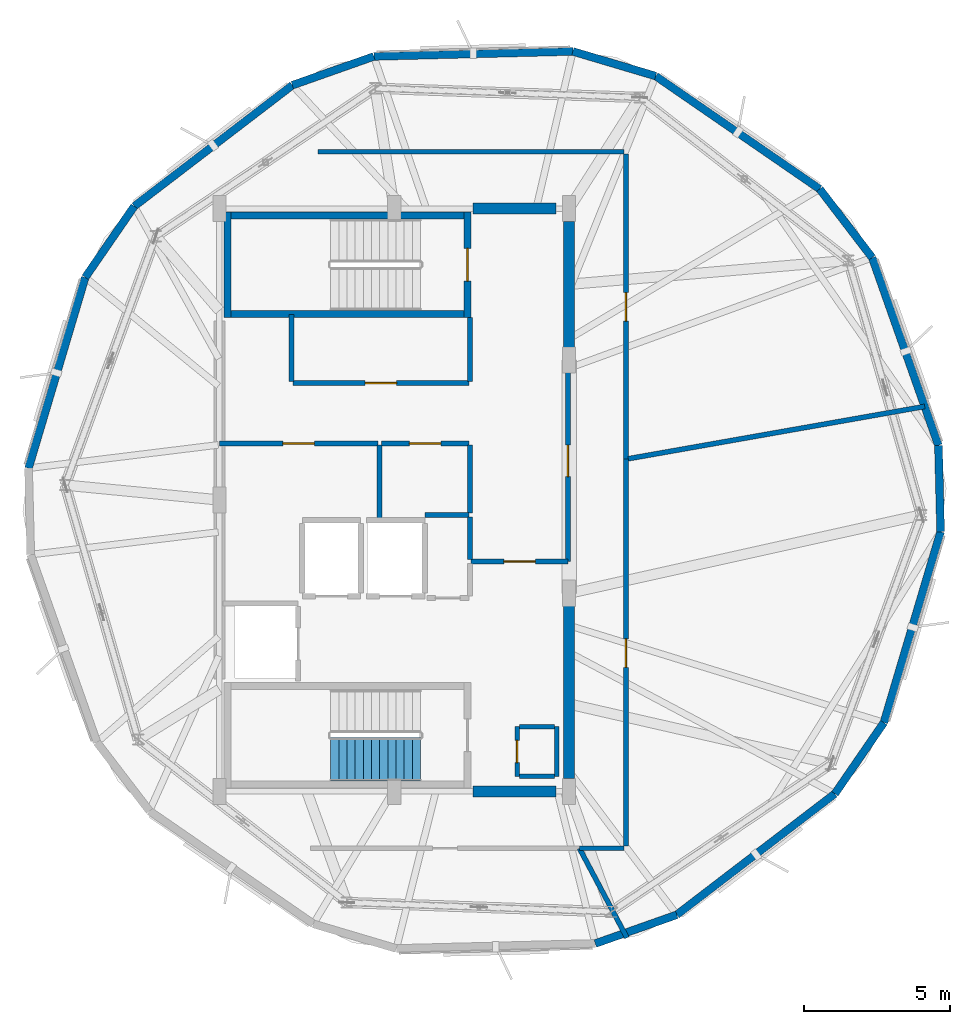
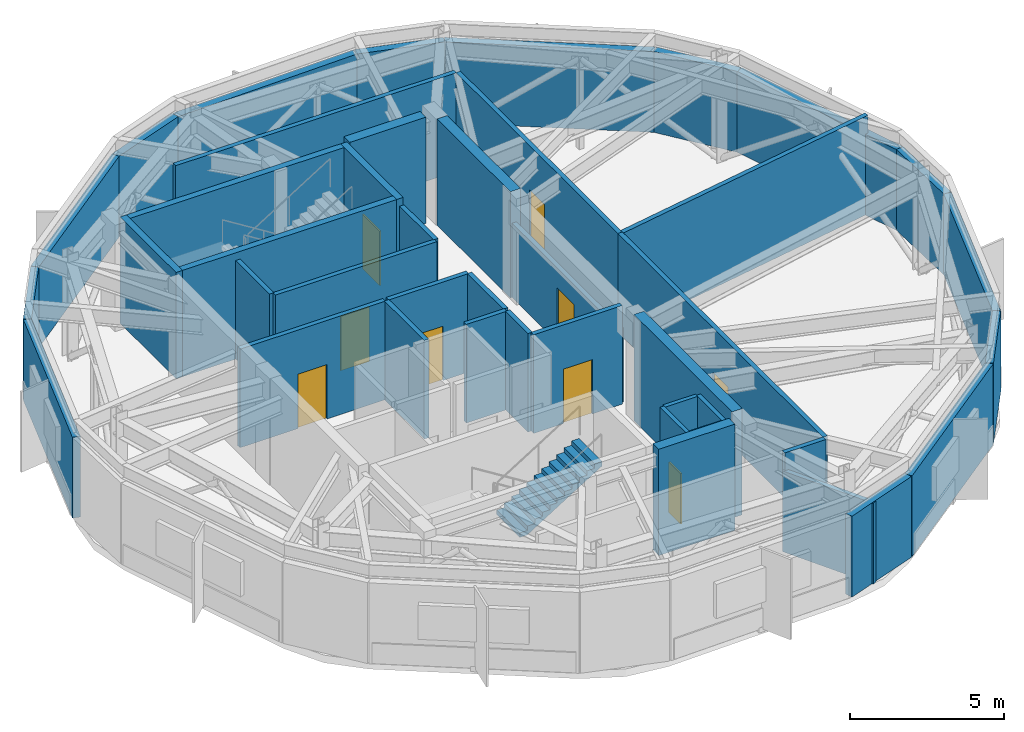
# One storey, part 5 of 9: 43 walls, 9 doors, 1 stair flight, 9 openings, 1 element without a shape of its own.
"""IFC4 building model written with IfcOpenShell, lengths in metres."""

from ifc_helpers import new_model, si_unit, direction, frame, frame_2d, origin, place, context, subcontext, project, spatial, polyline, rectangle, outline, extrude, material, layer, layer_set, type_object, element, fill, aggregate, save


model = new_model("IFC4")

# Units and contexts
model_context = context("Model", 3, precision=1e-05, world=origin(), true_north=direction((0.0, 1.0)))
body_context = subcontext(model_context, "Body", "Model", "MODEL_VIEW")
ifc_project = project(units=[si_unit("LENGTHUNIT", "METRE"), si_unit("AREAUNIT", "SQUARE_METRE"), si_unit("VOLUMEUNIT", "CUBIC_METRE"), si_unit("PLANEANGLEUNIT", "RADIAN"), si_unit("MASSUNIT", "GRAM", prefix="KILO")], contexts=[model_context])

# Site, building, storey
site_placement = place(None, origin())
site = spatial("IfcSite", under=ifc_project, at=site_placement, CompositionType="ELEMENT")
building_placement = place(site_placement, origin())
building = spatial("IfcBuilding", under=site, at=building_placement, Name="Soratama Intermodal Tower", CompositionType="ELEMENT")
storey_placement = place(building_placement, frame((0.0, 0.0, 305.64990234375)))
storey = spatial("IfcBuildingStorey", under=building, at=storey_placement, Name="L77", CompositionType="ELEMENT", Elevation=305.64990234375)

# Walls
ifc_material_1 = material(Name="Concrete f'c 42 MPa", Category="concrete")
ifc_layer_1 = layer(ifc_material_1, 0.27001953125)
ifc_layer_set_1 = layer_set([ifc_layer_1], Name="Concrete f'c 42 MPa")
wall_type_1 = type_object("IfcWallType", Name="EW-CRN-270", PredefinedType="SOLIDWALL", material=ifc_layer_set_1)
wall_1_placement = place(storey_placement, frame((37.900634765625, 40.22119140625, 0.0), z_axis=(0.0, 0.0, 1.0), x_axis=(-0.942990333583, -0.332820117735, 0.0)))
element("IfcWall", 1, at=wall_1_placement, inside=storey, type_object=wall_type_1, Name="L77 Corner Closure Wall 01", PredefinedType="SOLIDWALL", context=body_context, shape_type="SweptSolid", body=[
    extrude(rectangle(XDim=2.966552734375, YDim=0.27001953125, at=frame_2d((1.4833984375, 0.0))), origin(), (0.0, 0.0, 1.0), 3.195068359375),
])
wall_2_placement = place(storey_placement, frame((44.729736328125, 40.39306640625, 0.0), z_axis=(0.0, 0.0, 1.0), x_axis=(-0.999683435638, -0.025160057868, 0.0)))
element("IfcWall", 2, at=wall_2_placement, inside=storey, type_object=wall_type_1, Name="L77 Plant Wall F01", PredefinedType="SOLIDWALL", context=body_context, shape_type="SweptSolid", body=[
    extrude(rectangle(XDim=6.831298828125, YDim=0.27001953125, at=frame_2d((3.41552734375, 0.0))), origin(), (0.0, 0.0, 1.0), 3.195068359375),
])
wall_3_placement = place(storey_placement, frame((29.679443359375, 35.081298828125, 0.0), z_axis=(0.0, 0.0, 1.0), x_axis=(-0.56726554836, -0.823534940148, 0.0)))
element("IfcWall", 3, at=wall_3_placement, inside=storey, type_object=wall_type_1, Name="L77 Corner Closure Wall 02", PredefinedType="SOLIDWALL", context=body_context, shape_type="SweptSolid", body=[
    extrude(rectangle(XDim=2.966552734375, YDim=0.27001953125, at=frame_2d((1.4833984375, 0.0))), origin(), (0.0, 0.0, 1.0), 3.195068359375),
])
wall_4_placement = place(storey_placement, frame((35.103271484375, 39.23388671875, 0.0), z_axis=(0.0, 0.0, 1.0), x_axis=(-0.794007710978, -0.607907686173, 0.0)))
element("IfcWall", 4, at=wall_4_placement, inside=storey, type_object=wall_type_1, Name="L77 Plant Wall F02", PredefinedType="SOLIDWALL", context=body_context, shape_type="SweptSolid", body=[
    extrude(rectangle(XDim=6.8310546875, YDim=0.27001953125, at=frame_2d((3.41552734375, 0.0))), origin(), (0.0, 0.0, 1.0), 3.195068359375),
])
wall_5_placement = place(storey_placement, frame((27.99658203125, 32.63818359375, 0.0), z_axis=(0.0, 0.0, 1.0), x_axis=(-0.285019079127, -0.958521843535, 0.0)))
element("IfcWall", 5, at=wall_5_placement, inside=storey, type_object=wall_type_1, Name="L77 Plant Wall F03", PredefinedType="SOLIDWALL", context=body_context, shape_type="SweptSolid", body=[
    extrude(rectangle(XDim=6.831298828125, YDim=0.27001953125, at=frame_2d((3.41552734375, 0.0))), origin(), (0.0, 0.0, 1.0), 3.195068359375),
])
for number, where, z_axis, x_axis, name in (
    (6, (45.499267578125, 9.77880859375, 0.0), (0.0, 0.0, 1.0), (0.942990333583, 0.332820117735, 0.0), "L77 Corner Closure Wall 06"),
    (7, (53.720703125, 14.918701171875, 0.0), (0.0, 0.0, 1.0), (0.567209730575, 0.823573385644, 0.0), "L77 Corner Closure Wall 07"),
):
    element("IfcWall", number, at=place(storey_placement, frame(where, z_axis=z_axis, x_axis=x_axis)), inside=storey, type_object=wall_type_1, Name=name, PredefinedType="SOLIDWALL", context=body_context, shape_type="SweptSolid", body=[
        extrude(rectangle(XDim=2.966552734375, YDim=0.27001953125, at=frame_2d((1.4833984375, 0.0))), origin(), (0.0, 0.0, 1.0), 3.195068359375),
    ])
wall_6_placement = place(storey_placement, frame((48.296630859375, 10.76611328125, 0.0), z_axis=(0.0, 0.0, 1.0), x_axis=(0.794020918326, 0.607890435244, 0.0)))
element("IfcWall", 8, at=wall_6_placement, inside=storey, type_object=wall_type_1, Name="L77 Plant Wall F07", PredefinedType="SOLIDWALL", context=body_context, shape_type="SweptSolid", body=[
    extrude(rectangle(XDim=6.8310546875, YDim=0.27001953125, at=frame_2d((3.41552734375, 0.0))), origin(), (0.0, 0.0, 1.0), 3.195068359375),
])
wall_7_placement = place(storey_placement, frame((57.350341796875, 23.90966796875, 0.0), z_axis=(0.0, 0.0, 1.0), x_axis=(-0.025101168962, 0.999684916019, 0.0)))
element("IfcWall", 9, at=wall_7_placement, inside=storey, type_object=wall_type_1, Name="L77 Corner Closure Wall 08", PredefinedType="SOLIDWALL", context=body_context, shape_type="SweptSolid", body=[
    extrude(rectangle(XDim=2.966552734375, YDim=0.27001953125, at=frame_2d((1.4833984375, 0.0))), origin(), (0.0, 0.0, 1.0), 3.195068359375),
])
wall_8_placement = place(storey_placement, frame((55.4033203125, 17.36181640625, 0.0), z_axis=(0.0, 0.0, 1.0), x_axis=(0.285019079127, 0.958521843535, 0.0)))
element("IfcWall", 10, at=wall_8_placement, inside=storey, type_object=wall_type_1, Name="L77 Plant Wall F08", PredefinedType="SOLIDWALL", context=body_context, shape_type="SweptSolid", body=[
    extrude(rectangle(XDim=6.831298828125, YDim=0.27001953125, at=frame_2d((3.41552734375, 0.0))), origin(), (0.0, 0.0, 1.0), 3.195068359375),
])
wall_9_placement = place(storey_placement, frame((55.002197265625, 33.31689453125, 0.0), z_axis=(0.0, 0.0, 1.0), x_axis=(-0.607871587538, 0.79403534749, 0.0)))
element("IfcWall", 11, at=wall_9_placement, inside=storey, type_object=wall_type_1, Name="L77 Corner Closure Wall 09", PredefinedType="SOLIDWALL", context=body_context, shape_type="SweptSolid", body=[
    extrude(rectangle(XDim=2.966552734375, YDim=0.27001953125, at=frame_2d((1.4833984375, 0.0))), origin(), (0.0, 0.0, 1.0), 3.195068359375),
])
wall_10_placement = place(storey_placement, frame((57.27587890625, 26.875244140625, 0.0), z_axis=(0.0, 0.0, 1.0), x_axis=(-0.332840681535, 0.942983075519, 0.0)))
element("IfcWall", 12, at=wall_10_placement, inside=storey, type_object=wall_type_1, Name="L77 Plant Wall F09", PredefinedType="SOLIDWALL", context=body_context, shape_type="SweptSolid", body=[
    extrude(rectangle(XDim=6.8310546875, YDim=0.27001953125, at=frame_2d((3.41552734375, 0.0))), origin(), (0.0, 0.0, 1.0), 3.195068359375),
])
wall_11_placement = place(storey_placement, frame((47.5732421875, 39.547607421875, 0.0), z_axis=(0.0, 0.0, 1.0), x_axis=(-0.958527849857, 0.284998879029, 0.0)))
element("IfcWall", 13, at=wall_11_placement, inside=storey, type_object=wall_type_1, Name="L77 Corner Closure Wall 10", PredefinedType="SOLIDWALL", context=body_context, shape_type="SweptSolid", body=[
    extrude(rectangle(XDim=2.966552734375, YDim=0.27001953125, at=frame_2d((1.4833984375, 0.0))), origin(), (0.0, 0.0, 1.0), 3.195068359375),
])
wall_12_placement = place(storey_placement, frame((53.198974609375, 35.67236328125, 0.0), z_axis=(0.0, 0.0, 1.0), x_axis=(-0.823525410079, 0.567279383509, 0.0)))
element("IfcWall", 14, at=wall_12_placement, inside=storey, type_object=wall_type_1, Name="L77 Plant Wall F10", PredefinedType="SOLIDWALL", context=body_context, shape_type="SweptSolid", body=[
    extrude(rectangle(XDim=6.831298828125, YDim=0.27001953125, at=frame_2d((3.41552734375, 0.0))), origin(), (0.0, 0.0, 1.0), 3.195068359375),
])
ifc_material_2 = material(Name="Fire-rated gypsum stud partition", Category="concrete")
ifc_layer_2 = layer(ifc_material_2, 0.14990234375)
ifc_layer_set_2 = layer_set([ifc_layer_2], Name="Fire-rated gypsum stud partition")
wall_type_2 = type_object("IfcWallType", Name="IW-PART-R150", PredefinedType="PARTITIONING", material=ifc_layer_set_2)
for number, where, z_axis, x_axis, name in (
    (15, (42.89990234375, 15.52001953125, 0.0), (0.0, 0.0, 1.0), (1.0, 0.0, 0.0), "L77 Riser Wall S"),
    (16, (42.89990234375, 17.219970703125, 0.0), (0.0, 0.0, 1.0), (1.0, 0.0, 0.0), "L77 Riser Wall N"),
):
    element("IfcWall", number, at=place(storey_placement, frame(where, z_axis=z_axis, x_axis=x_axis)), inside=storey, type_object=wall_type_2, Name=name, PredefinedType="PARTITIONING", context=body_context, shape_type="SweptSolid", body=[
        extrude(rectangle(XDim=1.2001953125, YDim=0.14990234375, at=frame_2d((0.60009765625, 0.0))), origin(), (0.0, 0.0, 1.0), 3.89501953125),
    ])
wall_13_placement = place(storey_placement, frame((44.179931640625, 15.52001953125, 0.0), z_axis=(0.0, 0.0, 1.0), x_axis=(0.0, 1.0, 0.0)))
element("IfcWall", 17, at=wall_13_placement, inside=storey, type_object=wall_type_2, Name="L77 Riser Wall E", PredefinedType="PARTITIONING", context=body_context, shape_type="SweptSolid", body=[
    extrude(rectangle(XDim=1.699951171875, YDim=0.14990234375, at=frame_2d((0.85009765625, 0.0))), origin(), (0.0, 0.0, 1.0), 3.89501953125),
])

# Wall, opening, door
wall_14_placement = place(storey_placement, frame((42.820068359375, 15.52001953125, 0.0), z_axis=(0.0, 0.0, 1.0), x_axis=(0.0, 1.0, 0.0)))
wall_14 = element("IfcWall", 18, at=wall_14_placement, inside=storey, type_object=wall_type_2, Name="L77 Riser Front Wall", PredefinedType="PARTITIONING", context=body_context, shape_type="SweptSolid", body=[
    extrude(rectangle(XDim=1.699951171875, YDim=0.14990234375, at=frame_2d((0.85009765625, 0.0))), origin(), (0.0, 0.0, 1.0), 3.89501953125),
])
opening_1_placement = place(wall_14_placement, frame((0.469970703125, 0.0, 0.0)))
opening_1 = element("IfcOpeningElement", 19, at=opening_1_placement, cuts=wall_14, Name="Opening TD-1", PredefinedType="OPENING", context=body_context, shape_type="SweptSolid", body=[
    extrude(rectangle(XDim=0.760009765625, YDim=2.0, at=frame_2d((0.3798828125, 1.0))), frame((0.0, 0.0849609375, 0.0), z_axis=(0.0, -1.0, 0.0), x_axis=(1.0, 0.0, 0.0)), (0.0, 0.0, 1.0), 0.169921875),
])
ifc_material_3 = material(Name="Steel fire door", Category="steel")
door_type_1 = type_object("IfcDoorType", Name="DR-RISER-TRAP", OperationType="NOTDEFINED", PredefinedType="TRAPDOOR", material=ifc_material_3)
door_1_placement = place(opening_1_placement, origin())
door_1 = element("IfcDoor", 20, at=door_1_placement, inside=storey, type_object=door_type_1, Name="L77 Riser Inspection Door", OperationType="SINGLE_SWING_LEFT", OverallHeight=2.0, OverallWidth=0.760009765625, PredefinedType="TRAPDOOR", context=body_context, shape_type="SweptSolid", body=[
    extrude(rectangle(XDim=0.760009765625, YDim=2.0, at=frame_2d((0.3798828125, 1.0))), frame((0.0, 0.02490234375, 0.0), z_axis=(0.0, -1.0, 0.0), x_axis=(1.0, 0.0, 0.0)), (0.0, 0.0, 1.0), 0.050048828125),
])
fill(opening_1, door_1)

ifc_material_4 = material(Name="Fire-rated gypsum stud partition", Category="concrete")
ifc_layer_3 = layer(ifc_material_4, 0.169921875)
ifc_layer_set_3 = layer_set([ifc_layer_3], Name="Fire-rated gypsum stud partition")
wall_type_3 = type_object("IfcWallType", Name="IW-PART-R170", PredefinedType="PARTITIONING", material=ifc_layer_set_3)
wall_15_placement = place(storey_placement, frame((46.550048828125, 26.40087890625, 0.0), z_axis=(0.0, 0.0, 1.0), x_axis=(0.0, -1.0, 0.0)))
wall_15 = element("IfcWall", 21, at=wall_15_placement, inside=storey, type_object=wall_type_3, Name="L77 Partition W-L77-TP001", PredefinedType="PARTITIONING", context=body_context, shape_type="SweptSolid", body=[
    extrude(rectangle(XDim=13.28076171875, YDim=0.169921875, at=frame_2d((6.640380859375, 0.0))), origin(), (0.0, 0.0, 1.0), 3.89501953125),
])
opening_2_placement = place(wall_15_placement, frame((6.166015625, 0.0, 0.0)))
opening_2 = element("IfcOpeningElement", 22, at=opening_2_placement, cuts=wall_15, Name="Opening ID-5", PredefinedType="OPENING", context=body_context, shape_type="SweptSolid", body=[
    extrude(rectangle(XDim=0.97998046875, YDim=2.14990234375, at=frame_2d((0.489990234375, 1.074951171875))), frame((0.0, 0.094970703125, 0.0), z_axis=(0.0, -1.0, 0.0), x_axis=(1.0, 0.0, 0.0)), (0.0, 0.0, 1.0), 0.18994140625),
])
ifc_material_5 = material(Name="Solid hardwood acoustic door", Category="wood")
door_type_2 = type_object("IfcDoorType", Name="DR-OFF-980", OperationType="NOTDEFINED", PredefinedType="DOOR", material=ifc_material_5)
door_2_placement = place(opening_2_placement, origin())
door_2 = element("IfcDoor", 23, at=door_2_placement, inside=storey, type_object=door_type_2, Name="L77 Door D-L77-TP001", OperationType="SINGLE_SWING_RIGHT", OverallHeight=2.14990234375, OverallWidth=0.97998046875, PredefinedType="DOOR", context=body_context, shape_type="SweptSolid", body=[
    extrude(rectangle(XDim=0.97998046875, YDim=2.14990234375, at=frame_2d((0.489990234375, 1.074951171875))), frame((0.0, 0.02490234375, 0.0), z_axis=(0.0, -1.0, 0.0), x_axis=(1.0, 0.0, 0.0)), (0.0, 0.0, 1.0), 0.050048828125),
])
fill(opening_2, door_2)

wall_16_placement = place(storey_placement, frame((46.550048828125, 36.8798828125, 0.0), z_axis=(0.0, 0.0, 1.0), x_axis=(0.0, -1.0, 0.0)))
wall_16 = element("IfcWall", 24, at=wall_16_placement, inside=storey, type_object=wall_type_3, Name="L77 Partition W-L77-TP002", PredefinedType="PARTITIONING", context=body_context, shape_type="SweptSolid", body=[
    extrude(rectangle(XDim=10.47900390625, YDim=0.169921875, at=frame_2d((5.239501953125, 0.0))), origin(), (0.0, 0.0, 1.0), 3.89501953125),
])
opening_3_placement = place(wall_16_placement, frame((4.764892578125, 0.0, 0.0)))
opening_3 = element("IfcOpeningElement", 25, at=opening_3_placement, cuts=wall_16, Name="Opening ID-5", PredefinedType="OPENING", context=body_context, shape_type="SweptSolid", body=[
    extrude(rectangle(XDim=0.97998046875, YDim=2.14990234375, at=frame_2d((0.489990234375, 1.074951171875))), frame((0.0, 0.094970703125, 0.0), z_axis=(0.0, -1.0, 0.0), x_axis=(1.0, 0.0, 0.0)), (0.0, 0.0, 1.0), 0.18994140625),
])
door_3_placement = place(opening_3_placement, origin())
door_3 = element("IfcDoor", 26, at=door_3_placement, inside=storey, type_object=door_type_2, Name="L77 Door D-L77-TP002", OperationType="SINGLE_SWING_LEFT", OverallHeight=2.14990234375, OverallWidth=0.97998046875, PredefinedType="DOOR", context=body_context, shape_type="SweptSolid", body=[
    extrude(rectangle(XDim=0.97998046875, YDim=2.14990234375, at=frame_2d((0.489990234375, 1.074951171875))), frame((0.0, 0.02490234375, 0.0), z_axis=(0.0, -1.0, 0.0), x_axis=(1.0, 0.0, 0.0)), (0.0, 0.0, 1.0), 0.050048828125),
])
fill(opening_3, door_3)

# Wall
wall_17_placement = place(storey_placement, frame((56.804931640625, 28.2099609375, 0.0), z_axis=(0.0, 0.0, 1.0), x_axis=(-0.984801637981, -0.173682854164, 0.0)))
element("IfcWall", 27, at=wall_17_placement, inside=storey, type_object=wall_type_3, Name="L77 Partition W-L77-TP003", PredefinedType="PARTITIONING", context=body_context, shape_type="SweptSolid", body=[
    extrude(rectangle(XDim=10.328857421875, YDim=0.169921875, at=frame_2d((5.16455078125, 0.0))), origin(), (0.0, 0.0, 1.0), 3.89501953125),
])

# Wall, opening, door
wall_18_placement = place(storey_placement, frame((44.56005859375, 29.800048828125, 0.0), z_axis=(0.0, 0.0, 1.0), x_axis=(0.0, -1.0, 0.0)))
wall_18 = element("IfcWall", 28, at=wall_18_placement, inside=storey, type_object=wall_type_3, Name="L77 Partition W-L77-TP004", PredefinedType="PARTITIONING", context=body_context, shape_type="SweptSolid", body=[
    extrude(rectangle(XDim=6.91015625, YDim=0.169921875, at=frame_2d((3.455078125, 0.0))), origin(), (0.0, 0.0, 1.0), 2.93505859375),
])
opening_4_placement = place(wall_18_placement, frame((2.9150390625, 0.0, 0.0)))
opening_4 = element("IfcOpeningElement", 29, at=opening_4_placement, cuts=wall_18, Name="Opening ID-1", PredefinedType="OPENING", context=body_context, shape_type="SweptSolid", body=[
    extrude(rectangle(XDim=1.080078125, YDim=2.14990234375, at=frame_2d((0.5400390625, 1.074951171875))), frame((0.0, 0.094970703125, 0.0), z_axis=(0.0, -1.0, 0.0), x_axis=(1.0, 0.0, 0.0)), (0.0, 0.0, 1.0), 0.18994140625),
])
ifc_material_6 = material(Name="Solid hardwood acoustic door", Category="wood")
door_type_3 = type_object("IfcDoorType", Name="DR-LOB-FD60", OperationType="NOTDEFINED", PredefinedType="DOOR", material=ifc_material_6)
door_4_placement = place(opening_4_placement, origin())
door_4 = element("IfcDoor", 30, at=door_4_placement, inside=storey, type_object=door_type_3, Name="L77 Door D-L77-TP003", OperationType="SINGLE_SWING_RIGHT", OverallHeight=2.14990234375, OverallWidth=1.080078125, PredefinedType="DOOR", context=body_context, shape_type="SweptSolid", body=[
    extrude(rectangle(XDim=1.080078125, YDim=2.14990234375, at=frame_2d((0.5400390625, 1.074951171875))), frame((0.0, 0.02490234375, 0.0), z_axis=(0.0, -1.0, 0.0), x_axis=(1.0, 0.0, 0.0)), (0.0, 0.0, 1.0), 0.050048828125),
])
fill(opening_4, door_4)

wall_19_placement = place(storey_placement, frame((35.1201171875, 29.010009765625, 0.0), z_axis=(0.0, 0.0, 1.0), x_axis=(1.0, 0.0, 0.0)))
wall_19 = element("IfcWall", 31, at=wall_19_placement, inside=storey, type_object=wall_type_3, Name="L77 Partition W-L77-TP005", PredefinedType="PARTITIONING", context=body_context, shape_type="SweptSolid", body=[
    extrude(rectangle(XDim=6.039794921875, YDim=0.169921875, at=frame_2d((3.02001953125, 0.0))), origin(), (0.0, 0.0, 1.0), 3.89501953125),
])
opening_5_placement = place(wall_19_placement, frame((2.47998046875, 0.0, 0.0)))
opening_5 = element("IfcOpeningElement", 32, at=opening_5_placement, cuts=wall_19, Name="Opening ID-1", PredefinedType="OPENING", context=body_context, shape_type="SweptSolid", body=[
    extrude(rectangle(XDim=1.080078125, YDim=2.14990234375, at=frame_2d((0.5400390625, 1.074951171875))), frame((0.0, 0.094970703125, 0.0), z_axis=(0.0, -1.0, 0.0), x_axis=(1.0, 0.0, 0.0)), (0.0, 0.0, 1.0), 0.18994140625),
])
door_5_placement = place(opening_5_placement, origin())
door_5 = element("IfcDoor", 33, at=door_5_placement, inside=storey, type_object=door_type_3, Name="L77 Door D-L77-TP004", OperationType="SINGLE_SWING_LEFT", OverallHeight=2.14990234375, OverallWidth=1.080078125, PredefinedType="DOOR", context=body_context, shape_type="SweptSolid", body=[
    extrude(rectangle(XDim=1.080078125, YDim=2.14990234375, at=frame_2d((0.5400390625, 1.074951171875))), frame((0.0, 0.02490234375, 0.0), z_axis=(0.0, -1.0, 0.0), x_axis=(1.0, 0.0, 0.0)), (0.0, 0.0, 1.0), 0.050048828125),
])
fill(opening_5, door_5)

wall_20_placement = place(storey_placement, frame((38.0400390625, 26.93994140625, 0.0), z_axis=(0.0, 0.0, 1.0), x_axis=(-1.0, 0.0, 0.0)))
wall_20 = element("IfcWall", 34, at=wall_20_placement, inside=storey, type_object=wall_type_3, Name="L77 Partition W-L77-TP006", PredefinedType="PARTITIONING", context=body_context, shape_type="SweptSolid", body=[
    extrude(rectangle(XDim=5.43994140625, YDim=0.169921875, at=frame_2d((2.719970703125, 0.0))), origin(), (0.0, 0.0, 1.0), 3.89501953125),
])
opening_6_placement = place(wall_20_placement, frame((2.179931640625, 0.0, 0.0)))
opening_6 = element("IfcOpeningElement", 35, at=opening_6_placement, cuts=wall_20, Name="Opening ID-1", PredefinedType="OPENING", context=body_context, shape_type="SweptSolid", body=[
    extrude(rectangle(XDim=1.080078125, YDim=2.14990234375, at=frame_2d((0.5400390625, 1.074951171875))), frame((0.0, 0.094970703125, 0.0), z_axis=(0.0, -1.0, 0.0), x_axis=(1.0, 0.0, 0.0)), (0.0, 0.0, 1.0), 0.18994140625),
])
door_6_placement = place(opening_6_placement, origin())
door_6 = element("IfcDoor", 36, at=door_6_placement, inside=storey, type_object=door_type_3, Name="L77 Door D-L77-TP005", OperationType="SINGLE_SWING_RIGHT", OverallHeight=2.14990234375, OverallWidth=1.080078125, PredefinedType="DOOR", context=body_context, shape_type="SweptSolid", body=[
    extrude(rectangle(XDim=1.080078125, YDim=2.14990234375, at=frame_2d((0.5400390625, 1.074951171875))), frame((0.0, 0.02490234375, 0.0), z_axis=(0.0, -1.0, 0.0), x_axis=(1.0, 0.0, 0.0)), (0.0, 0.0, 1.0), 0.050048828125),
])
fill(opening_6, door_6)

# Wall
wall_21_placement = place(storey_placement, frame((46.5859375, 9.97900390625, 0.0), z_axis=(0.0, 0.0, 1.0), x_axis=(-0.469232216807, 0.883074813767, 0.0)))
element("IfcWall", 37, at=wall_21_placement, inside=storey, type_object=wall_type_3, Name="L77 Partition W-L77-TP007", PredefinedType="PARTITIONING", context=body_context, shape_type="SweptSolid", body=[
    extrude(rectangle(XDim=3.477783203125, YDim=0.169921875, at=frame_2d((1.73876953125, 0.0))), origin(), (0.0, 0.0, 1.0), 3.190185546875),
])

# Wall, opening, door
wall_22_placement = place(storey_placement, frame((41.239990234375, 22.889892578125, 0.0), z_axis=(0.0, 0.0, 1.0), x_axis=(1.0, 0.0, 0.0)))
wall_22 = element("IfcWall", 38, at=wall_22_placement, inside=storey, type_object=wall_type_3, Name="L77 Partition W-L77-TP008", PredefinedType="PARTITIONING", context=body_context, shape_type="SweptSolid", body=[
    extrude(rectangle(XDim=3.320068359375, YDim=0.169921875, at=frame_2d((1.66015625, 0.0))), origin(), (0.0, 0.0, 1.0), 3.89501953125),
])
opening_7_placement = place(wall_22_placement, frame((1.1201171875, 0.0, 0.0)))
opening_7 = element("IfcOpeningElement", 39, at=opening_7_placement, cuts=wall_22, Name="Opening ID-0", PredefinedType="OPENING", context=body_context, shape_type="SweptSolid", body=[
    extrude(rectangle(XDim=1.080078125, YDim=2.14990234375, at=frame_2d((0.5400390625, 1.074951171875))), frame((0.0, 0.094970703125, 0.0), z_axis=(0.0, -1.0, 0.0), x_axis=(1.0, 0.0, 0.0)), (0.0, 0.0, 1.0), 0.18994140625),
])
ifc_material_7 = material(Name="Solid hardwood acoustic door", Category="wood")
door_type_4 = type_object("IfcDoorType", Name="DR-LOB-FD90", OperationType="NOTDEFINED", PredefinedType="DOOR", material=ifc_material_7)
door_7_placement = place(opening_7_placement, origin())
door_7 = element("IfcDoor", 40, at=door_7_placement, inside=storey, type_object=door_type_4, Name="L77 Door D-L77-TP006", OperationType="SINGLE_SWING_LEFT", OverallHeight=2.14990234375, OverallWidth=1.080078125, PredefinedType="DOOR", context=body_context, shape_type="SweptSolid", body=[
    extrude(rectangle(XDim=1.080078125, YDim=2.14990234375, at=frame_2d((0.5400390625, 1.074951171875))), frame((0.0, 0.02490234375, 0.0), z_axis=(0.0, -1.0, 0.0), x_axis=(1.0, 0.0, 0.0)), (0.0, 0.0, 1.0), 0.050048828125),
])
fill(opening_7, door_7)

wall_23_placement = place(storey_placement, frame((41.159912109375, 26.93994140625, 0.0), z_axis=(0.0, 0.0, 1.0), x_axis=(-1.0, 0.0, 0.0)))
wall_23 = element("IfcWall", 41, at=wall_23_placement, inside=storey, type_object=wall_type_3, Name="L77 Partition W-L77-TP009", PredefinedType="PARTITIONING", context=body_context, shape_type="SweptSolid", body=[
    extrude(rectangle(XDim=3.0, YDim=0.169921875, at=frame_2d((1.5, 0.0))), origin(), (0.0, 0.0, 1.0), 3.89501953125),
])
opening_8_placement = place(wall_23_placement, frame((0.9599609375, 0.0, 0.0)))
opening_8 = element("IfcOpeningElement", 42, at=opening_8_placement, cuts=wall_23, Name="Opening ID-1", PredefinedType="OPENING", context=body_context, shape_type="SweptSolid", body=[
    extrude(rectangle(XDim=1.080078125, YDim=2.14990234375, at=frame_2d((0.5400390625, 1.074951171875))), frame((0.0, 0.094970703125, 0.0), z_axis=(0.0, -1.0, 0.0), x_axis=(1.0, 0.0, 0.0)), (0.0, 0.0, 1.0), 0.18994140625),
])
door_8_placement = place(opening_8_placement, origin())
door_8 = element("IfcDoor", 43, at=door_8_placement, inside=storey, type_object=door_type_3, Name="L77 Door D-L77-TP007", OperationType="SINGLE_SWING_RIGHT", OverallHeight=2.14990234375, OverallWidth=1.080078125, PredefinedType="DOOR", context=body_context, shape_type="SweptSolid", body=[
    extrude(rectangle(XDim=1.080078125, YDim=2.14990234375, at=frame_2d((0.5400390625, 1.074951171875))), frame((0.0, 0.02490234375, 0.0), z_axis=(0.0, -1.0, 0.0), x_axis=(1.0, 0.0, 0.0)), (0.0, 0.0, 1.0), 0.050048828125),
])
fill(opening_8, door_8)

# Walls
wall_24_placement = place(storey_placement, frame((38.10009765625, 26.8798828125, 0.0), z_axis=(0.0, 0.0, 1.0), x_axis=(0.0, -1.0, 0.0)))
element("IfcWall", 44, at=wall_24_placement, inside=storey, type_object=wall_type_3, Name="L77 Partition W-L77-TP010", PredefinedType="PARTITIONING", context=body_context, shape_type="SweptSolid", body=[
    extrude(rectangle(XDim=2.579833984375, YDim=0.169921875, at=frame_2d((1.2900390625, 0.0))), origin(), (0.0, 0.0, 1.0), 3.89501953125),
])
wall_25_placement = place(storey_placement, frame((41.199951171875, 24.550048828125, 0.0), z_axis=(0.0, 0.0, 1.0), x_axis=(0.0, 1.0, 0.0)))
element("IfcWall", 45, at=wall_25_placement, inside=storey, type_object=wall_type_3, Name="L77 Partition W-L77-TP011", PredefinedType="PARTITIONING", context=body_context, shape_type="SweptSolid", body=[
    extrude(rectangle(XDim=2.329833984375, YDim=0.169921875, at=frame_2d((1.1650390625, 0.0))), origin(), (0.0, 0.0, 1.0), 3.89501953125),
])
wall_26_placement = place(storey_placement, frame((35.070068359375, 31.360107421875, 0.0), z_axis=(0.0, 0.0, 1.0), x_axis=(0.0, -1.0, 0.0)))
element("IfcWall", 46, at=wall_26_placement, inside=storey, type_object=wall_type_3, Name="L77 Partition W-L77-TP012", PredefinedType="PARTITIONING", context=body_context, shape_type="SweptSolid", body=[
    extrude(rectangle(XDim=2.2900390625, YDim=0.169921875, at=frame_2d((1.14501953125, 0.0))), origin(), (0.0, 0.0, 1.0), 3.89501953125),
])
wall_27_placement = place(storey_placement, frame((41.199951171875, 29.070068359375, 0.0), z_axis=(0.0, 0.0, 1.0), x_axis=(0.0, 1.0, 0.0)))
element("IfcWall", 47, at=wall_27_placement, inside=storey, type_object=wall_type_3, Name="L77 Partition W-L77-TP013", PredefinedType="PARTITIONING", context=body_context, shape_type="SweptSolid", body=[
    extrude(rectangle(XDim=2.18994140625, YDim=0.169921875, at=frame_2d((1.094970703125, 0.0))), origin(), (0.0, 0.0, 1.0), 3.89501953125),
])
wall_28_placement = place(storey_placement, frame((46.47998046875, 13.050048828125, 0.0), z_axis=(0.0, 0.0, 1.0), x_axis=(-1.0, 0.0, 0.0)))
element("IfcWall", 48, at=wall_28_placement, inside=storey, type_object=wall_type_3, Name="L77 Partition W-L77-TP014", PredefinedType="PARTITIONING", context=body_context, shape_type="SweptSolid", body=[
    extrude(rectangle(XDim=1.52587890625, YDim=0.169921875, at=frame_2d((0.762939453125, 0.0))), origin(), (0.0, 0.0, 1.0), 3.89501953125),
])
wall_29_placement = place(storey_placement, frame((39.64990234375, 24.485107421875, 0.0), z_axis=(0.0, 0.0, 1.0), x_axis=(1.0, 0.0, 0.0)))
element("IfcWall", 49, at=wall_29_placement, inside=storey, type_object=wall_type_3, Name="L77 Partition W-L77-TP015", PredefinedType="PARTITIONING", context=body_context, shape_type="SweptSolid", body=[
    extrude(rectangle(XDim=1.510009765625, YDim=0.169921875, at=frame_2d((0.7548828125, 0.0))), origin(), (0.0, 0.0, 1.0), 3.89501953125),
])
wall_30_placement = place(storey_placement, frame((41.199951171875, 22.9599609375, 0.0), z_axis=(0.0, 0.0, 1.0), x_axis=(0.0, 1.0, 0.0)))
element("IfcWall", 50, at=wall_30_placement, inside=storey, type_object=wall_type_3, Name="L77 Partition W-L77-TP016", PredefinedType="PARTITIONING", context=body_context, shape_type="SweptSolid", body=[
    extrude(rectangle(XDim=1.4599609375, YDim=0.169921875, at=frame_2d((0.72998046875, 0.0))), origin(), (0.0, 0.0, 1.0), 3.89501953125),
])
wall_31_placement = place(storey_placement, frame((35.98193359375, 36.949951171875, 0.0), z_axis=(0.0, 0.0, 1.0), x_axis=(1.0, 0.0, 0.0)))
element("IfcWall", 51, at=wall_31_placement, inside=storey, type_object=wall_type_3, Name="L77 Partition W-L77-TP019", PredefinedType="PARTITIONING", context=body_context, shape_type="SweptSolid", body=[
    extrude(rectangle(XDim=10.498046875, YDim=0.169921875, at=frame_2d((5.2490234375, 0.0))), origin(), (0.0, 0.0, 1.0), 3.89501953125),
])
ifc_material_8 = material(Name="Concrete f'c 56 MPa", Category="concrete")
ifc_layer_4 = layer(ifc_material_8, 0.3798828125)
ifc_layer_set_4 = layer_set([ifc_layer_4], Name="Concrete f'c 56 MPa")
wall_type_4 = type_object("IfcWallType", Name="SW-CORE-380", PredefinedType="SHEAR", material=ifc_layer_set_4)
for number, where, z_axis, x_axis, name in (
    (52, (41.300048828125, 15.0, 0.0), (0.0, 0.0, 1.0), (1.0, 0.0, 0.0), "L77 Core Shear Wall CW-SE"),
    (53, (41.300048828125, 35.0, 0.0), (0.0, 0.0, 1.0), (1.0, 0.0, 0.0), "L77 Core Shear Wall CW-NE"),
):
    element("IfcWall", number, at=place(storey_placement, frame(where, z_axis=z_axis, x_axis=x_axis)), inside=storey, type_object=wall_type_4, Name=name, PredefinedType="SHEAR", context=body_context, shape_type="SweptSolid", body=[
        extrude(rectangle(XDim=2.849853515625, YDim=0.3798828125, at=frame_2d((1.4248046875, 0.0))), origin(), (0.0, 0.0, 1.0), 4.2001953125),
    ])
wall_32_placement = place(storey_placement, frame((44.60009765625, 15.449951171875, 0.0), z_axis=(0.0, 0.0, 1.0), x_axis=(0.0, 1.0, 0.0)))
element("IfcWall", 54, at=wall_32_placement, inside=storey, type_object=wall_type_4, Name="L77 Core Shear Wall CW-ES", PredefinedType="SHEAR", context=body_context, shape_type="SweptSolid", body=[
    extrude(rectangle(XDim=6.35009765625, YDim=0.3798828125, at=frame_2d((3.175048828125, 0.0))), origin(), (0.0, 0.0, 1.0), 4.2001953125),
])
wall_33_placement = place(storey_placement, frame((44.60009765625, 29.800048828125, 0.0), z_axis=(0.0, 0.0, 1.0), x_axis=(0.0, 1.0, 0.0)))
element("IfcWall", 55, at=wall_33_placement, inside=storey, type_object=wall_type_4, Name="L77 Core Shear Wall CW-EN", PredefinedType="SHEAR", context=body_context, shape_type="SweptSolid", body=[
    extrude(rectangle(XDim=4.75, YDim=0.3798828125, at=frame_2d((2.375, 0.0))), origin(), (0.0, 0.0, 1.0), 4.2001953125),
])
ifc_material_9 = material(Name="Concrete f'c 56 MPa", Category="concrete")
ifc_layer_5 = layer(ifc_material_9, 0.239990234375)
ifc_layer_set_5 = layer_set([ifc_layer_5], Name="Concrete f'c 56 MPa")
wall_type_5 = type_object("IfcWallType", Name="SW-STAIR-240", PredefinedType="SHEAR", material=ifc_layer_set_5)
wall_34_placement = place(storey_placement, frame((32.8798828125, 31.260009765625, 0.0), z_axis=(0.0, 0.0, 1.0), x_axis=(0.0, 1.0, 0.0)))
element("IfcWall", 56, at=wall_34_placement, inside=storey, type_object=wall_type_5, Name="L77 ST-2 Shaft Shear Wall W", PredefinedType="SHEAR", context=body_context, shape_type="SweptSolid", body=[
    extrude(rectangle(XDim=3.6298828125, YDim=0.239990234375, at=frame_2d((1.81494140625, 0.0))), origin(), (0.0, 0.0, 1.0), 4.2001953125),
])

# Wall, opening, door
wall_35_placement = place(storey_placement, frame((41.1201171875, 31.260009765625, 0.0), z_axis=(0.0, 0.0, 1.0), x_axis=(0.0, 1.0, 0.0)))
wall_35 = element("IfcWall", 57, at=wall_35_placement, inside=storey, type_object=wall_type_5, Name="L77 ST-2 Shaft Shear Wall E", PredefinedType="SHEAR", context=body_context, shape_type="SweptSolid", body=[
    extrude(rectangle(XDim=3.6298828125, YDim=0.239990234375, at=frame_2d((1.81494140625, 0.0))), origin(), (0.0, 0.0, 1.0), 4.2001953125),
])
opening_9_placement = place(wall_35_placement, frame((1.2548828125, 0.0, 0.0)))
opening_9 = element("IfcOpeningElement", 58, at=opening_9_placement, cuts=wall_35, Name="Opening SD-1", PredefinedType="OPENING", context=body_context, shape_type="SweptSolid", body=[
    extrude(rectangle(XDim=1.1201171875, YDim=2.14990234375, at=frame_2d((0.56005859375, 1.074951171875))), frame((0.0, 0.1298828125, 0.0), z_axis=(0.0, -1.0, 0.0), x_axis=(1.0, 0.0, 0.0)), (0.0, 0.0, 1.0), 0.260009765625),
])
ifc_material_10 = material(Name="Steel fire door", Category="steel")
door_type_5 = type_object("IfcDoorType", Name="DR-STAIR-FD90", OperationType="NOTDEFINED", PredefinedType="DOOR", material=ifc_material_10)
door_9_placement = place(opening_9_placement, origin())
door_9 = element("IfcDoor", 59, at=door_9_placement, inside=storey, type_object=door_type_5, Name="L77 ST-2 Exit Stair Door", OperationType="SINGLE_SWING_RIGHT", OverallHeight=2.14990234375, OverallWidth=1.1201171875, PredefinedType="DOOR", context=body_context, shape_type="SweptSolid", body=[
    extrude(rectangle(XDim=1.1201171875, YDim=2.14990234375, at=frame_2d((0.56005859375, 1.074951171875))), frame((0.0, 0.02490234375, 0.0), z_axis=(0.0, -1.0, 0.0), x_axis=(1.0, 0.0, 0.0)), (0.0, 0.0, 1.0), 0.050048828125),
])
fill(opening_9, door_9)

# Walls
for number, where, z_axis, x_axis, name in (
    (60, (33.0, 31.3798828125, 0.0), (0.0, 0.0, 1.0), (1.0, 0.0, 0.0), "L77 ST-2 Shaft Shear Wall S"),
    (61, (33.0, 34.77001953125, 0.0), (0.0, 0.0, 1.0), (1.0, 0.0, 0.0), "L77 ST-2 Shaft Shear Wall N"),
):
    element("IfcWall", number, at=place(storey_placement, frame(where, z_axis=z_axis, x_axis=x_axis)), inside=storey, type_object=wall_type_5, Name=name, PredefinedType="SHEAR", context=body_context, shape_type="SweptSolid", body=[
        extrude(rectangle(XDim=8.0, YDim=0.239990234375, at=frame_2d((4.0, 0.0))), origin(), (0.0, 0.0, 1.0), 4.2001953125),
    ])

# Stair, stair flight
ifc_material_11 = material(Name="Concrete f'c 42 MPa", Category="concrete")
stair_type = type_object("IfcStairType", Name="ST-CORE-DOGLEG", PredefinedType="HALF_TURN_STAIR", material=ifc_material_11)
stair_placement = place(storey_placement, origin())
stair = element("IfcStair", 62, at=stair_placement, inside=storey, type_object=stair_type, Name="L77 ST-1", PredefinedType="HALF_TURN_STAIR")
ifc_material_12 = material(Name="Precast concrete f'c 40 MPa", Category="concrete")
ifc_layer_6 = layer(ifc_material_12, 0.199951171875)
ifc_layer_set_6 = layer_set([ifc_layer_6], Name="Precast concrete f'c 40 MPa")
stair_flight_type = type_object("IfcStairFlightType", Name="SF-FLIGHT-RC", PredefinedType="STRAIGHT", material=ifc_layer_set_6)
stair_flight_placement = place(storey_placement, frame((36.419921875, 16.10009765625, 2.10009765625), z_axis=(0.0, 0.0, 1.0), x_axis=(1.0, 0.0, 0.0)))
stair_flight = element("IfcStairFlight", 63, at=stair_flight_placement, type_object=stair_flight_type, Name="ST-1 flight 2", NumberOfRisers=12, NumberOfTreads=11, PredefinedType="STRAIGHT", RiserHeight=0.175, TreadLength=0.28, context=body_context, shape_type="SweptSolid", body=[
    extrude(outline(polyline([(0.0, 0.0), (0.0, 0.175048828125), (0.280029296875, 0.175048828125), (0.280029296875, 0.35009765625), (0.56005859375, 0.35009765625), (0.56005859375, 0.52490234375), (0.840087890625, 0.52490234375), (0.840087890625, 0.699951171875), (1.1201171875, 0.699951171875), (1.1201171875, 0.875), (1.39990234375, 0.875), (1.39990234375, 1.050048828125), (1.679931640625, 1.050048828125), (1.679931640625, 1.22509765625), (1.9599609375, 1.22509765625), (1.9599609375, 1.39990234375), (2.239990234375, 1.39990234375), (2.239990234375, 1.574951171875), (2.52001953125, 1.574951171875), (2.52001953125, 1.75), (2.800048828125, 1.75), (2.800048828125, 1.925048828125), (3.080078125, 1.925048828125), (3.080078125, 2.10009765625), (3.080078125, 1.748291015625), (0.28271484375, 0.0), (0.0, 0.0)])), frame((0.0, 0.75, 0.0), z_axis=(0.0, -1.0, 0.0), x_axis=(1.0, 0.0, 0.0)), (0.0, 0.0, 1.0), 1.5),
])
aggregate(stair, [stair_flight])

save(model, "model.ifc")
